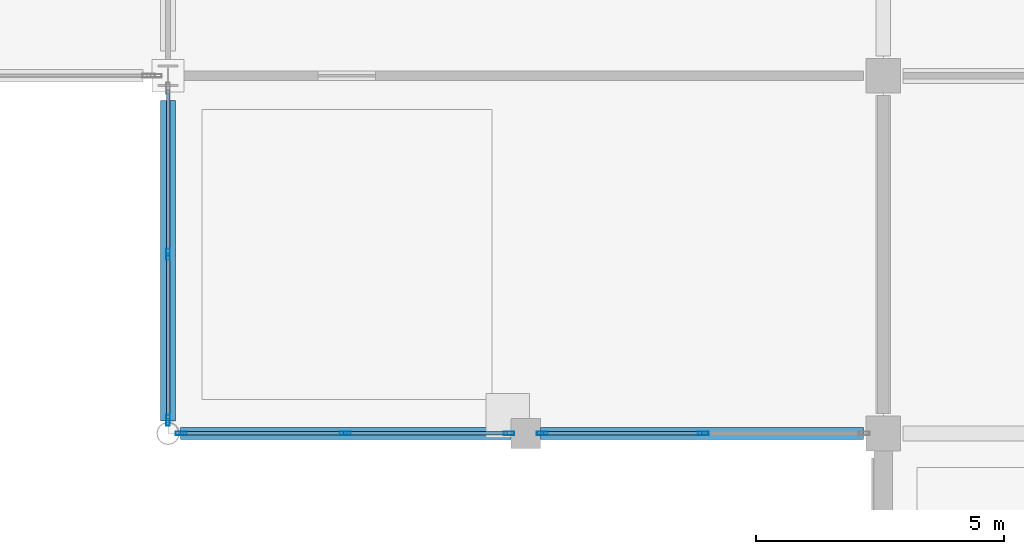
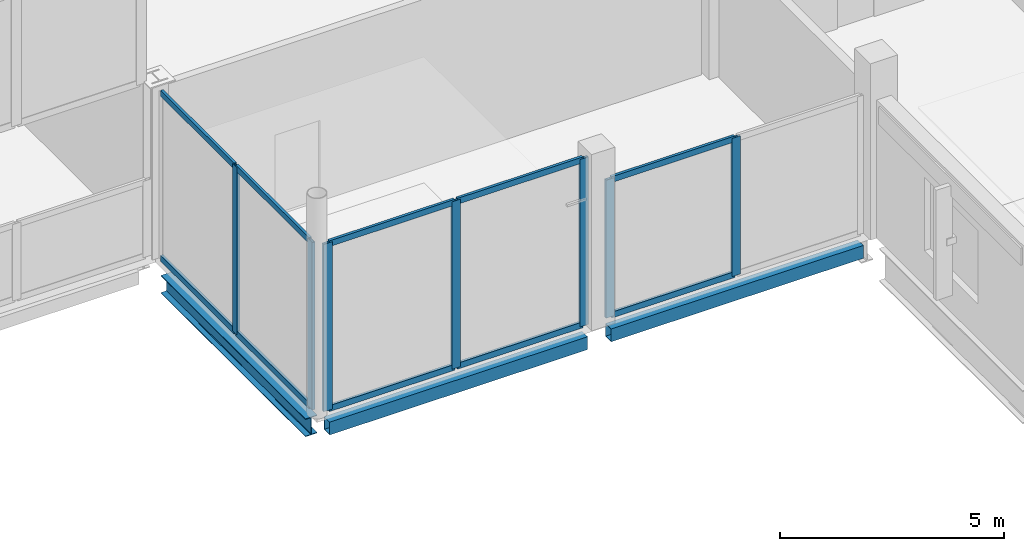
# One storey, part 30 of 120: 17 members, 3 beams, 3 elements without a shape of their own.
"""IFC4 building model written with IfcOpenShell, lengths in metres."""

from ifc_helpers import new_model, si_unit, direction, frame, origin, origin_2d, place, context, subcontext, project, spatial, hollow_rectangle, i_section, extrude, material, material_profile, profile_set, type_object, element, aggregate, save


model = new_model("IFC4")

# Units and contexts
model_context = context("Model", 3, precision=1e-05, world=origin(), true_north=direction((0.0, 1.0)))
body_context = subcontext(model_context, "Body", "Model", "MODEL_VIEW")
ifc_project = project(units=[si_unit("LENGTHUNIT", "METRE"), si_unit("AREAUNIT", "SQUARE_METRE"), si_unit("VOLUMEUNIT", "CUBIC_METRE"), si_unit("PLANEANGLEUNIT", "RADIAN"), si_unit("MASSUNIT", "GRAM", prefix="KILO")], contexts=[model_context])

# Site, building, storey
site_placement = place(None, origin())
site = spatial("IfcSite", under=ifc_project, at=site_placement, CompositionType="ELEMENT")
building_placement = place(site_placement, origin())
building = spatial("IfcBuilding", under=site, at=building_placement, Name="Vesperath Aquatics Centre", CompositionType="ELEMENT")
storey_placement = place(building_placement, frame((0.0, 0.0, 10.199951171875)))
storey = spatial("IfcBuildingStorey", under=building, at=storey_placement, Name="L02", CompositionType="ELEMENT", Elevation=10.199951171875)

# Beams
ifc_material_1 = material(Name="Steel Q355C", Category="steel")
ifc_material_profile_1 = material_profile(ifc_material_1, i_section(OverallWidth=0.300048828125, OverallDepth=0.488037109375, WebThickness=0.010986328125, FlangeThickness=0.01806640625, FilletRadius=0.02587890625, at=origin_2d()), Name="HM 488x300x11x18")
ifc_profile_set_1 = profile_set([ifc_material_profile_1], Name="Steel Q355C")
beam_type_1 = type_object("IfcBeamType", Name="BM-G10", PredefinedType="BEAM", material=ifc_profile_set_1)
beam_1_placement = place(storey_placement, frame((100.800048828125, 7.4541015625, -0.50390625), z_axis=(0.0, 1.0, 0.0), x_axis=(-1.0, 0.0, 0.0)))
element("IfcBeam", 1, at=beam_1_placement, inside=storey, type_object=beam_type_1, Name="Floor Girder B10 L02 15 B-C", PredefinedType="BEAM", context=body_context, shape_type="SweptSolid", body=[
    extrude(i_section(OverallWidth=0.300048828125, OverallDepth=0.488037109375, WebThickness=0.010986328125, FlangeThickness=0.01806640625, FilletRadius=0.02587890625, at=origin_2d()), origin(), (0.0, 0.0, 1.0), 6.44580078125),
])
ifc_material_2 = material(Name="Steel Q355D", Category="steel")
ifc_material_profile_2 = material_profile(ifc_material_2, hollow_rectangle(XDim=0.25, YDim=0.35009765625, WallThickness=0.011962890625, at=origin_2d()), Name="RHS 350x250x12")
ifc_profile_set_2 = profile_set([ifc_material_profile_2], Name="Steel Q355D")
beam_type_2 = type_object("IfcBeamType", Name="BM-SP02", PredefinedType="SPANDREL", material=ifc_profile_set_2)
beam_2_placement = place(storey_placement, frame((101.053955078125, 7.199951171875, -0.43505859375), z_axis=(1.0, 0.0, 0.0), x_axis=(0.0, 1.0, 0.0)))
element("IfcBeam", 2, at=beam_2_placement, inside=storey, type_object=beam_type_2, Name="Floor Girder SP02 L02 B 15-16", PredefinedType="SPANDREL", context=body_context, shape_type="SweptSolid", body=[
    extrude(hollow_rectangle(XDim=0.25, YDim=0.35009765625, WallThickness=0.011962890625, at=origin_2d()), origin(), (0.0, 0.0, 1.0), 6.64599609375),
])
beam_3_placement = place(storey_placement, frame((108.300048828125, 7.199951171875, -0.43505859375), z_axis=(1.0, 0.0, 0.0), x_axis=(0.0, 1.0, 0.0)))
element("IfcBeam", 3, at=beam_3_placement, inside=storey, type_object=beam_type_2, Name="Floor Girder SP02 L02 B 16-17", PredefinedType="SPANDREL", context=body_context, shape_type="SweptSolid", body=[
    extrude(hollow_rectangle(XDim=0.25, YDim=0.35009765625, WallThickness=0.011962890625, at=origin_2d()), origin(), (0.0, 0.0, 1.0), 6.5),
])

# Curtain wall, members
ifc_material_3 = material(Name="Thermally broken anodised bronze aluminium curtain wall", Category="aluminium")
curtain_wall_type = type_object("IfcCurtainWallType", Name="CW-06", PredefinedType="NOTDEFINED", material=ifc_material_3)
curtain_wall_1_placement = place(storey_placement, origin())
curtain_wall_1 = element("IfcCurtainWall", 4, at=curtain_wall_1_placement, inside=storey, type_object=curtain_wall_type, Name="Facade Curtain Wall CW06 L02_S_14_01", PredefinedType="NOTDEFINED")
ifc_material_4 = material(Name="Thermally broken anodised aluminium", Category="aluminium")
ifc_material_profile_3 = material_profile(ifc_material_4, hollow_rectangle(XDim=0.070068359375, YDim=0.219970703125, WallThickness=0.0048828125, at=origin_2d()), Name="CWM 70x220x5")
ifc_profile_set_3 = profile_set([ifc_material_profile_3], Name="Thermally broken anodised aluminium")
member_type_1 = type_object("IfcMemberType", Name="MB-CWM2", PredefinedType="MULLION", material=ifc_profile_set_3)
member_1_placement = place(storey_placement, frame((101.0634765625, 7.199951171875, 0.0), z_axis=(0.0, 0.0, 1.0), x_axis=(0.0, 1.0, 0.0)))
member_1 = element("IfcMember", 5, at=member_1_placement, type_object=member_type_1, Name="CW06 mullion 1", PredefinedType="MULLION", context=body_context, shape_type="SweptSolid", body=[
    extrude(hollow_rectangle(XDim=0.070068359375, YDim=0.219970703125, WallThickness=0.0048828125, at=origin_2d()), origin(), (0.0, 0.0, 1.0), 4.56005859375),
])
member_2_placement = place(storey_placement, frame((104.3642578125, 7.199951171875, 0.0), z_axis=(0.0, 0.0, 1.0), x_axis=(0.0, 1.0, 0.0)))
member_2 = element("IfcMember", 6, at=member_2_placement, type_object=member_type_1, Name="CW06 mullion 2", PredefinedType="MULLION", context=body_context, shape_type="SweptSolid", body=[
    extrude(hollow_rectangle(XDim=0.070068359375, YDim=0.219970703125, WallThickness=0.0048828125, at=origin_2d()), origin(), (0.0, 0.0, 1.0), 4.56005859375),
])
member_3_placement = place(storey_placement, frame((107.6650390625, 7.199951171875, 0.0), z_axis=(0.0, 0.0, 1.0), x_axis=(0.0, 1.0, 0.0)))
member_3 = element("IfcMember", 7, at=member_3_placement, type_object=member_type_1, Name="CW06 mullion 3", PredefinedType="MULLION", context=body_context, shape_type="SweptSolid", body=[
    extrude(hollow_rectangle(XDim=0.070068359375, YDim=0.219970703125, WallThickness=0.0048828125, at=origin_2d()), origin(), (0.0, 0.0, 1.0), 4.56005859375),
])

curtain_wall_2_placement = place(storey_placement, origin())
curtain_wall_2 = element("IfcCurtainWall", 8, at=curtain_wall_2_placement, inside=storey, type_object=curtain_wall_type, Name="Facade Curtain Wall CW06 L02_S_15_01", PredefinedType="NOTDEFINED")
member_4_placement = place(storey_placement, frame((108.3349609375, 7.199951171875, 0.0), z_axis=(0.0, 0.0, 1.0), x_axis=(0.0, 1.0, 0.0)))
member_4 = element("IfcMember", 9, at=member_4_placement, type_object=member_type_1, Name="CW06 mullion 1", PredefinedType="MULLION", context=body_context, shape_type="SweptSolid", body=[
    extrude(hollow_rectangle(XDim=0.070068359375, YDim=0.219970703125, WallThickness=0.0048828125, at=origin_2d()), origin(), (0.0, 0.0, 1.0), 3.760009765625),
])
member_5_placement = place(storey_placement, frame((111.574951171875, 7.199951171875, 0.0), z_axis=(0.0, 0.0, 1.0), x_axis=(0.0, 1.0, 0.0)))
member_5 = element("IfcMember", 10, at=member_5_placement, type_object=member_type_1, Name="CW06 mullion 2", PredefinedType="MULLION", context=body_context, shape_type="SweptSolid", body=[
    extrude(hollow_rectangle(XDim=0.070068359375, YDim=0.219970703125, WallThickness=0.0048828125, at=origin_2d()), origin(), (0.0, 0.0, 1.0), 3.760009765625),
])

curtain_wall_3_placement = place(storey_placement, origin())
curtain_wall_3 = element("IfcCurtainWall", 11, at=curtain_wall_3_placement, inside=storey, type_object=curtain_wall_type, Name="Facade Curtain Wall CW06 L02_W_14_01", PredefinedType="NOTDEFINED")
member_6_placement = place(storey_placement, frame((100.800048828125, 7.46337890625, 0.0), z_axis=(0.0, 0.0, 1.0), x_axis=(-1.0, 0.0, 0.0)))
member_6 = element("IfcMember", 12, at=member_6_placement, type_object=member_type_1, Name="CW06 mullion 1", PredefinedType="MULLION", context=body_context, shape_type="SweptSolid", body=[
    extrude(hollow_rectangle(XDim=0.070068359375, YDim=0.219970703125, WallThickness=0.0048828125, at=origin_2d()), origin(), (0.0, 0.0, 1.0), 4.56005859375),
])
member_7_placement = place(storey_placement, frame((100.800048828125, 10.80712890625, 0.0), z_axis=(0.0, 0.0, 1.0), x_axis=(-1.0, 0.0, 0.0)))
member_7 = element("IfcMember", 13, at=member_7_placement, type_object=member_type_1, Name="CW06 mullion 2", PredefinedType="MULLION", context=body_context, shape_type="SweptSolid", body=[
    extrude(hollow_rectangle(XDim=0.070068359375, YDim=0.219970703125, WallThickness=0.0048828125, at=origin_2d()), origin(), (0.0, 0.0, 1.0), 4.56005859375),
])

# Member
ifc_material_profile_4 = material_profile(ifc_material_4, hollow_rectangle(XDim=0.070068359375, YDim=0.159912109375, WallThickness=0.0048828125, at=origin_2d()), Name="CWT 70x160x5")
ifc_profile_set_4 = profile_set([ifc_material_profile_4], Name="Thermally broken anodised aluminium")
member_type_2 = type_object("IfcMemberType", Name="MB-CWT2", PredefinedType="USERDEFINED", material=ifc_profile_set_4)
member_8_placement = place(storey_placement, frame((101.098388671875, 7.199951171875, 0.03515625), z_axis=(1.0, 0.0, 0.0), x_axis=(0.0, 1.0, 0.0)))
member_8 = element("IfcMember", 14, at=member_8_placement, type_object=member_type_2, Name="CW06 transom 1.1", ObjectType="TRANSOM", PredefinedType="USERDEFINED", context=body_context, shape_type="SweptSolid", body=[
    extrude(hollow_rectangle(XDim=0.070068359375, YDim=0.159912109375, WallThickness=0.0048828125, at=origin_2d()), origin(), (0.0, 0.0, 1.0), 3.23095703125),
])

member_9_placement = place(storey_placement, frame((101.098388671875, 7.199951171875, 4.525146484375), z_axis=(1.0, 0.0, 0.0), x_axis=(0.0, 1.0, 0.0)))
member_9 = element("IfcMember", 15, at=member_9_placement, type_object=member_type_2, Name="CW06 transom 1.2", ObjectType="TRANSOM", PredefinedType="USERDEFINED", context=body_context, shape_type="SweptSolid", body=[
    extrude(hollow_rectangle(XDim=0.070068359375, YDim=0.159912109375, WallThickness=0.0048828125, at=origin_2d()), origin(), (0.0, 0.0, 1.0), 3.23095703125),
])

member_10_placement = place(storey_placement, frame((104.399169921875, 7.199951171875, 0.03515625), z_axis=(1.0, 0.0, 0.0), x_axis=(0.0, 1.0, 0.0)))
member_10 = element("IfcMember", 16, at=member_10_placement, type_object=member_type_2, Name="CW06 transom 2.1", ObjectType="TRANSOM", PredefinedType="USERDEFINED", context=body_context, shape_type="SweptSolid", body=[
    extrude(hollow_rectangle(XDim=0.070068359375, YDim=0.159912109375, WallThickness=0.0048828125, at=origin_2d()), origin(), (0.0, 0.0, 1.0), 3.230712890625),
])

member_11_placement = place(storey_placement, frame((104.399169921875, 7.199951171875, 4.525146484375), z_axis=(1.0, 0.0, 0.0), x_axis=(0.0, 1.0, 0.0)))
member_11 = element("IfcMember", 17, at=member_11_placement, type_object=member_type_2, Name="CW06 transom 2.2", ObjectType="TRANSOM", PredefinedType="USERDEFINED", context=body_context, shape_type="SweptSolid", body=[
    extrude(hollow_rectangle(XDim=0.070068359375, YDim=0.159912109375, WallThickness=0.0048828125, at=origin_2d()), origin(), (0.0, 0.0, 1.0), 3.230712890625),
])

aggregate(curtain_wall_1, [member_1, member_2, member_3, member_8, member_9, member_10, member_11])

member_12_placement = place(storey_placement, frame((108.3701171875, 7.199951171875, 0.03515625), z_axis=(1.0, 0.0, 0.0), x_axis=(0.0, 1.0, 0.0)))
member_12 = element("IfcMember", 18, at=member_12_placement, type_object=member_type_2, Name="CW06 transom 1.1", ObjectType="TRANSOM", PredefinedType="USERDEFINED", context=body_context, shape_type="SweptSolid", body=[
    extrude(hollow_rectangle(XDim=0.070068359375, YDim=0.159912109375, WallThickness=0.0048828125, at=origin_2d()), origin(), (0.0, 0.0, 1.0), 3.169921875),
])

member_13_placement = place(storey_placement, frame((108.3701171875, 7.199951171875, 3.72509765625), z_axis=(1.0, 0.0, 0.0), x_axis=(0.0, 1.0, 0.0)))
member_13 = element("IfcMember", 19, at=member_13_placement, type_object=member_type_2, Name="CW06 transom 1.2", ObjectType="TRANSOM", PredefinedType="USERDEFINED", context=body_context, shape_type="SweptSolid", body=[
    extrude(hollow_rectangle(XDim=0.070068359375, YDim=0.159912109375, WallThickness=0.0048828125, at=origin_2d()), origin(), (0.0, 0.0, 1.0), 3.169921875),
])

aggregate(curtain_wall_2, [member_4, member_5, member_12, member_13])

member_14_placement = place(storey_placement, frame((100.800048828125, 7.49853515625, 0.03515625), z_axis=(0.0, 1.0, 0.0), x_axis=(-1.0, 0.0, 0.0)))
member_14 = element("IfcMember", 20, at=member_14_placement, type_object=member_type_2, Name="CW06 transom 1.1", ObjectType="TRANSOM", PredefinedType="USERDEFINED", context=body_context, shape_type="SweptSolid", body=[
    extrude(hollow_rectangle(XDim=0.070068359375, YDim=0.159912109375, WallThickness=0.0048828125, at=origin_2d()), origin(), (0.0, 0.0, 1.0), 3.273681640625),
])

member_15_placement = place(storey_placement, frame((100.800048828125, 7.49853515625, 4.525146484375), z_axis=(0.0, 1.0, 0.0), x_axis=(-1.0, 0.0, 0.0)))
member_15 = element("IfcMember", 21, at=member_15_placement, type_object=member_type_2, Name="CW06 transom 1.2", ObjectType="TRANSOM", PredefinedType="USERDEFINED", context=body_context, shape_type="SweptSolid", body=[
    extrude(hollow_rectangle(XDim=0.070068359375, YDim=0.159912109375, WallThickness=0.0048828125, at=origin_2d()), origin(), (0.0, 0.0, 1.0), 3.273681640625),
])

member_16_placement = place(storey_placement, frame((100.800048828125, 10.84228515625, 0.03515625), z_axis=(0.0, 1.0, 0.0), x_axis=(-1.0, 0.0, 0.0)))
member_16 = element("IfcMember", 22, at=member_16_placement, type_object=member_type_2, Name="CW06 transom 2.1", ObjectType="TRANSOM", PredefinedType="USERDEFINED", context=body_context, shape_type="SweptSolid", body=[
    extrude(hollow_rectangle(XDim=0.070068359375, YDim=0.159912109375, WallThickness=0.0048828125, at=origin_2d()), origin(), (0.0, 0.0, 1.0), 3.273681640625),
])

member_17_placement = place(storey_placement, frame((100.800048828125, 10.84228515625, 4.525146484375), z_axis=(0.0, 1.0, 0.0), x_axis=(-1.0, 0.0, 0.0)))
member_17 = element("IfcMember", 23, at=member_17_placement, type_object=member_type_2, Name="CW06 transom 2.2", ObjectType="TRANSOM", PredefinedType="USERDEFINED", context=body_context, shape_type="SweptSolid", body=[
    extrude(hollow_rectangle(XDim=0.070068359375, YDim=0.159912109375, WallThickness=0.0048828125, at=origin_2d()), origin(), (0.0, 0.0, 1.0), 3.273681640625),
])

aggregate(curtain_wall_3, [member_6, member_7, member_14, member_15, member_16, member_17])

save(model, "model.ifc")
